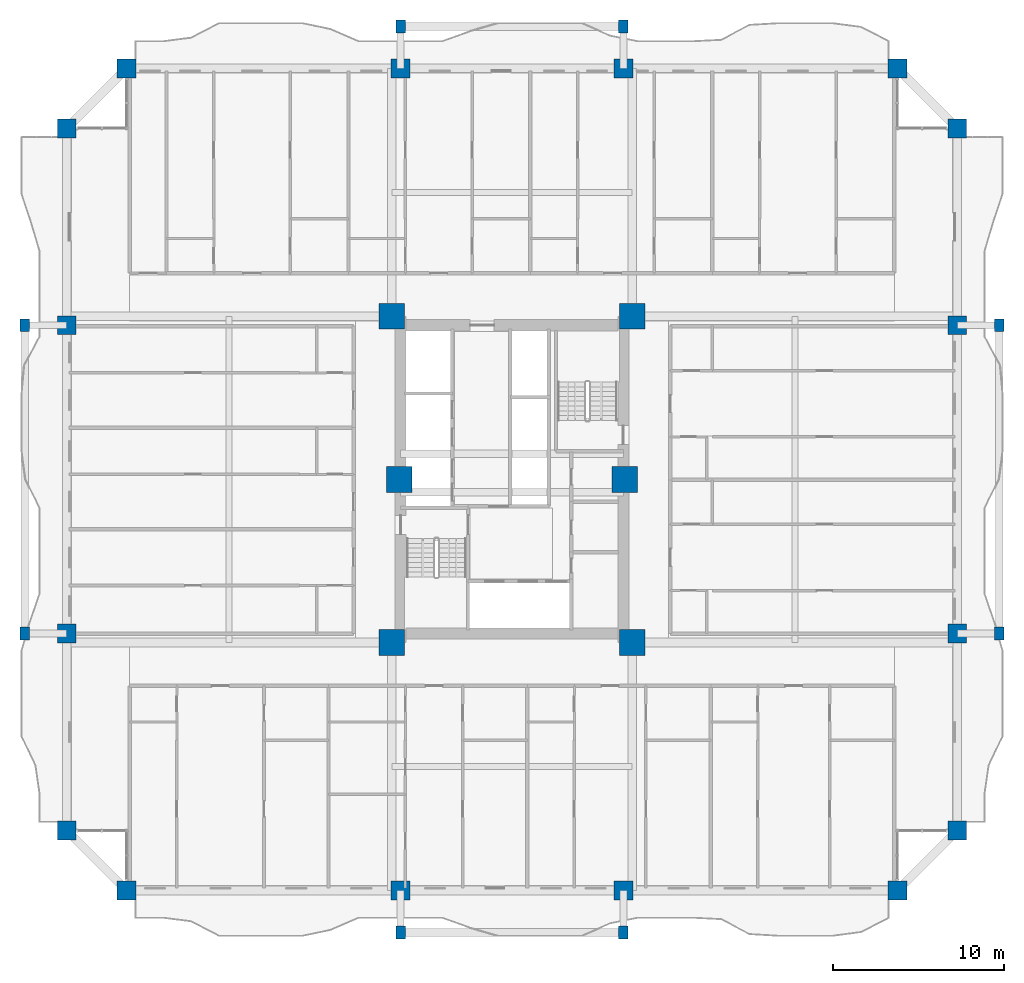
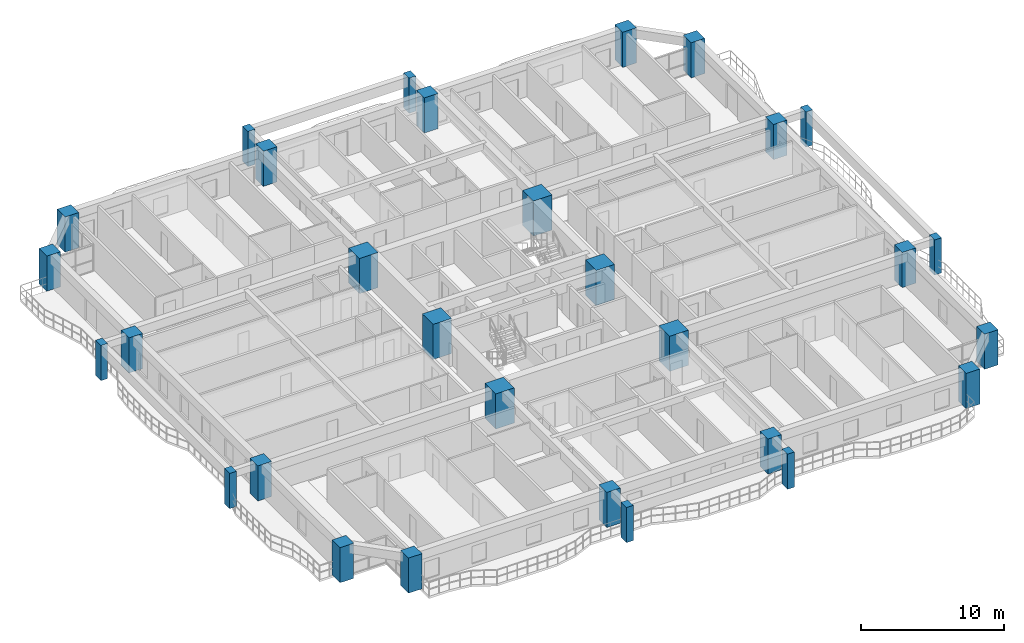
# One storey, part 1 of 27: 30 columns.
"""IFC4 building model written with IfcOpenShell, lengths in metres."""

from ifc_helpers import new_model, si_unit, direction, frame, origin, origin_2d, place, context, subcontext, project, spatial, rectangle, extrude, source, transform, mapped, material, material_profile, profile_set, type_object, element, save


model = new_model("IFC4")

# Units and contexts
model_context = context("Model", 3, precision=1e-05, world=origin(), true_north=direction((0.0, 1.0)))
body_context = subcontext(model_context, "Body", "Model", "MODEL_VIEW")
ifc_project = project(units=[si_unit("LENGTHUNIT", "METRE"), si_unit("AREAUNIT", "SQUARE_METRE"), si_unit("VOLUMEUNIT", "CUBIC_METRE"), si_unit("PLANEANGLEUNIT", "RADIAN"), si_unit("MASSUNIT", "GRAM", prefix="KILO")], contexts=[model_context])

# Site, building, storey
site_placement = place(None, origin())
site = spatial("IfcSite", under=ifc_project, at=site_placement, CompositionType="ELEMENT")
building_placement = place(site_placement, origin())
building = spatial("IfcBuilding", under=site, at=building_placement, Name="Saelheon Loggia Tower", CompositionType="ELEMENT")
storey_placement = place(building_placement, frame((0.0, 0.0, 34.39990234375)))
storey = spatial("IfcBuildingStorey", under=building, at=storey_placement, Name="L10", CompositionType="ELEMENT", Elevation=34.39990234375)

# Columns
ifc_material_1 = material(Name="Concrete C60/75", Category="concrete")
ifc_material_profile_1 = material_profile(ifc_material_1, rectangle(XDim=1.5, YDim=1.5, at=origin_2d()), Name="RC-1500x1500")
ifc_profile_set_1 = profile_set([ifc_material_profile_1], Name="Concrete C60/75")
column_type_1 = type_object("IfcColumnType", Name="Col_Core_RC1500", PredefinedType="COLUMN", material=ifc_profile_set_1)
shared_shape_1 = source(origin(), body_context, "Body", "SweptSolid", [
    extrude(rectangle(XDim=1.5, YDim=1.5, at=origin_2d()), origin(), (0.0, 0.0, 1.0), 3.0),
])
for number, where, z_axis, x_axis, name in (
    (1, (30.97998046875, 17.47998046875, 0.0), (0.0, 0.0, 1.0), (1.0, 0.0, 0.0), "L10 Core Column CR-SW"),
    (2, (45.02001953125, 17.47998046875, 0.0), (0.0, 0.0, 1.0), (1.0, 0.0, 0.0), "L10 Core Column CR-SE"),
    (3, (30.97998046875, 36.52001953125, 0.0), (0.0, 0.0, 1.0), (1.0, 0.0, 0.0), "L10 Core Column CR-NW"),
    (4, (45.02001953125, 36.52001953125, 0.0), (0.0, 0.0, 1.0), (1.0, 0.0, 0.0), "L10 Core Column CR-NE"),
    (5, (31.419921875, 27.0, 0.0), (0.0, 0.0, 1.0), (1.0, 0.0, 0.0), "L10 Core Column CR-MW"),
    (6, (44.580078125, 27.0, 0.0), (0.0, 0.0, 1.0), (1.0, 0.0, 0.0), "L10 Core Column CR-ME"),
):
    element("IfcColumn", number, at=place(storey_placement, frame(where, z_axis=z_axis, x_axis=x_axis)), inside=storey, type_object=column_type_1, Name=name, PredefinedType="COLUMN", context=body_context, shape_type="MappedRepresentation", body=[
        mapped(shared_shape_1, transform((0.0, 0.0, 0.0), scale=1.0)),
    ])
ifc_material_2 = material(Name="Concrete C50/60", Category="concrete")
ifc_material_profile_2 = material_profile(ifc_material_2, rectangle(XDim=1.10009765625, YDim=1.10009765625, at=origin_2d()), Name="RC-1100x1100")
ifc_profile_set_2 = profile_set([ifc_material_profile_2], Name="Concrete C50/60")
column_type_2 = type_object("IfcColumnType", Name="Col_PerimExt_RC1100", PredefinedType="COLUMN", material=ifc_profile_set_2)
shared_shape_2 = source(origin(), body_context, "Body", "SweptSolid", [
    extrude(rectangle(XDim=1.10009765625, YDim=1.10009765625, at=origin_2d()), origin(), (0.0, 0.0, 1.0), 3.0),
])
for number, where, z_axis, x_axis, name in (
    (7, (15.5, 3.0, 0.0), (0.0, 0.0, 1.0), (1.0, 0.0, 0.0), "L10 Perimeter Column TP-S1"),
    (8, (31.5, 3.0, 0.0), (0.0, 0.0, 1.0), (1.0, 0.0, 0.0), "L10 Perimeter Column TP-SA"),
    (9, (44.5, 3.0, 0.0), (0.0, 0.0, 1.0), (1.0, 0.0, 0.0), "L10 Perimeter Column TP-SB"),
    (10, (60.5, 3.0, 0.0), (0.0, 0.0, 1.0), (1.0, 0.0, 0.0), "L10 Perimeter Column TP-S2"),
    (11, (64.0, 6.5, 0.0), (0.0, 0.0, 1.0), (1.0, 0.0, 0.0), "L10 Perimeter Column TP-E1"),
    (12, (64.0, 18.0, 0.0), (0.0, 0.0, 1.0), (1.0, 0.0, 0.0), "L10 Perimeter Column TP-EA"),
    (13, (64.0, 36.0, 0.0), (0.0, 0.0, 1.0), (1.0, 0.0, 0.0), "L10 Perimeter Column TP-EB"),
    (14, (64.0, 47.5, 0.0), (0.0, 0.0, 1.0), (1.0, 0.0, 0.0), "L10 Perimeter Column TP-E2"),
    (15, (60.5, 51.0, 0.0), (0.0, 0.0, 1.0), (1.0, 0.0, 0.0), "L10 Perimeter Column TP-N2"),
    (16, (44.5, 51.0, 0.0), (0.0, 0.0, 1.0), (1.0, 0.0, 0.0), "L10 Perimeter Column TP-NB"),
    (17, (31.5, 51.0, 0.0), (0.0, 0.0, 1.0), (1.0, 0.0, 0.0), "L10 Perimeter Column TP-NA"),
    (18, (15.5, 51.0, 0.0), (0.0, 0.0, 1.0), (1.0, 0.0, 0.0), "L10 Perimeter Column TP-N1"),
    (19, (12.0, 47.5, 0.0), (0.0, 0.0, 1.0), (1.0, 0.0, 0.0), "L10 Perimeter Column TP-W2"),
    (20, (12.0, 36.0, 0.0), (0.0, 0.0, 1.0), (1.0, 0.0, 0.0), "L10 Perimeter Column TP-WB"),
    (21, (12.0, 18.0, 0.0), (0.0, 0.0, 1.0), (1.0, 0.0, 0.0), "L10 Perimeter Column TP-WA"),
    (22, (12.0, 6.5, 0.0), (0.0, 0.0, 1.0), (1.0, 0.0, 0.0), "L10 Perimeter Column TP-W1"),
):
    element("IfcColumn", number, at=place(storey_placement, frame(where, z_axis=z_axis, x_axis=x_axis)), inside=storey, type_object=column_type_2, Name=name, PredefinedType="COLUMN", context=body_context, shape_type="MappedRepresentation", body=[
        mapped(shared_shape_2, transform((0.0, 0.0, 0.0), scale=1.0)),
    ])
ifc_material_3 = material(Name="Precast Concrete C45/55", Category="concrete")
ifc_material_profile_3 = material_profile(ifc_material_3, rectangle(XDim=0.550048828125, YDim=0.75, at=origin_2d()), Name="RC-550x750")
ifc_profile_set_3 = profile_set([ifc_material_profile_3], Name="Precast Concrete C45/55")
column_type_3 = type_object("IfcColumnType", Name="Col_Loggia_Pilaster_750", PredefinedType="PILASTER", material=ifc_profile_set_3)
shared_shape_3 = source(origin(), body_context, "Body", "SweptSolid", [
    extrude(rectangle(XDim=0.550048828125, YDim=0.75, at=origin_2d()), origin(), (0.0, 0.0, 1.0), 3.0),
])
for number, where, z_axis, x_axis, name in (
    (23, (31.5, 0.550048828125, 0.0), (0.0, 0.0, 1.0), (1.0, 0.0, 0.0), "L10 Loggia Frame Pilaster LP-S1"),
    (24, (44.5, 0.550048828125, 0.0), (0.0, 0.0, 1.0), (1.0, 0.0, 0.0), "L10 Loggia Frame Pilaster LP-S2"),
    (25, (31.5, 53.449951171875, 0.0), (0.0, 0.0, 1.0), (1.0, 0.0, 0.0), "L10 Loggia Frame Pilaster LP-N1"),
    (26, (44.5, 53.449951171875, 0.0), (0.0, 0.0, 1.0), (1.0, 0.0, 0.0), "L10 Loggia Frame Pilaster LP-N2"),
    (27, (66.449951171875, 18.0, 0.0), (0.0, 0.0, 1.0), (1.0, 0.0, 0.0), "L10 Loggia Frame Pilaster LP-E1"),
    (28, (66.449951171875, 36.0, 0.0), (0.0, 0.0, 1.0), (1.0, 0.0, 0.0), "L10 Loggia Frame Pilaster LP-E2"),
    (29, (9.550048828125, 18.0, 0.0), (0.0, 0.0, 1.0), (1.0, 0.0, 0.0), "L10 Loggia Frame Pilaster LP-W1"),
    (30, (9.550048828125, 36.0, 0.0), (0.0, 0.0, 1.0), (1.0, 0.0, 0.0), "L10 Loggia Frame Pilaster LP-W2"),
):
    element("IfcColumn", number, at=place(storey_placement, frame(where, z_axis=z_axis, x_axis=x_axis)), inside=storey, type_object=column_type_3, Name=name, PredefinedType="PILASTER", context=body_context, shape_type="MappedRepresentation", body=[
        mapped(shared_shape_3, transform((0.0, 0.0, 0.0), scale=1.0)),
    ])

save(model, "model.ifc")
